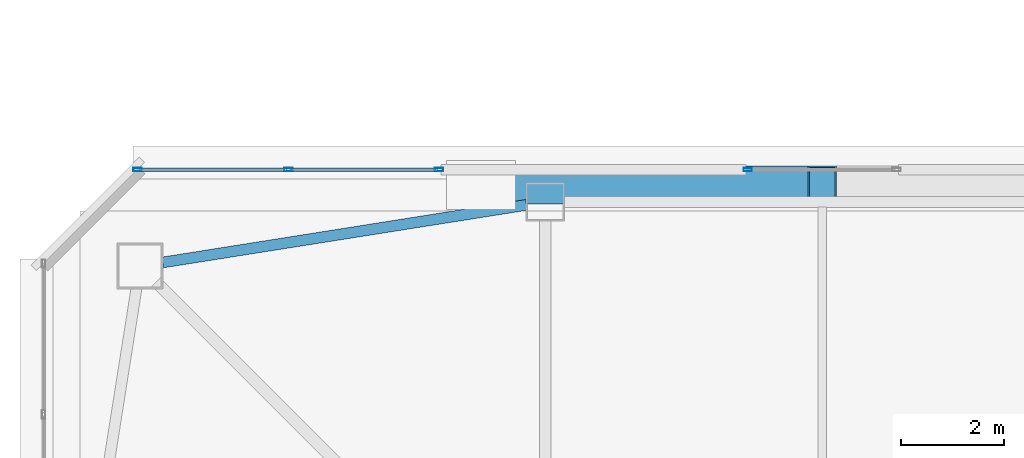
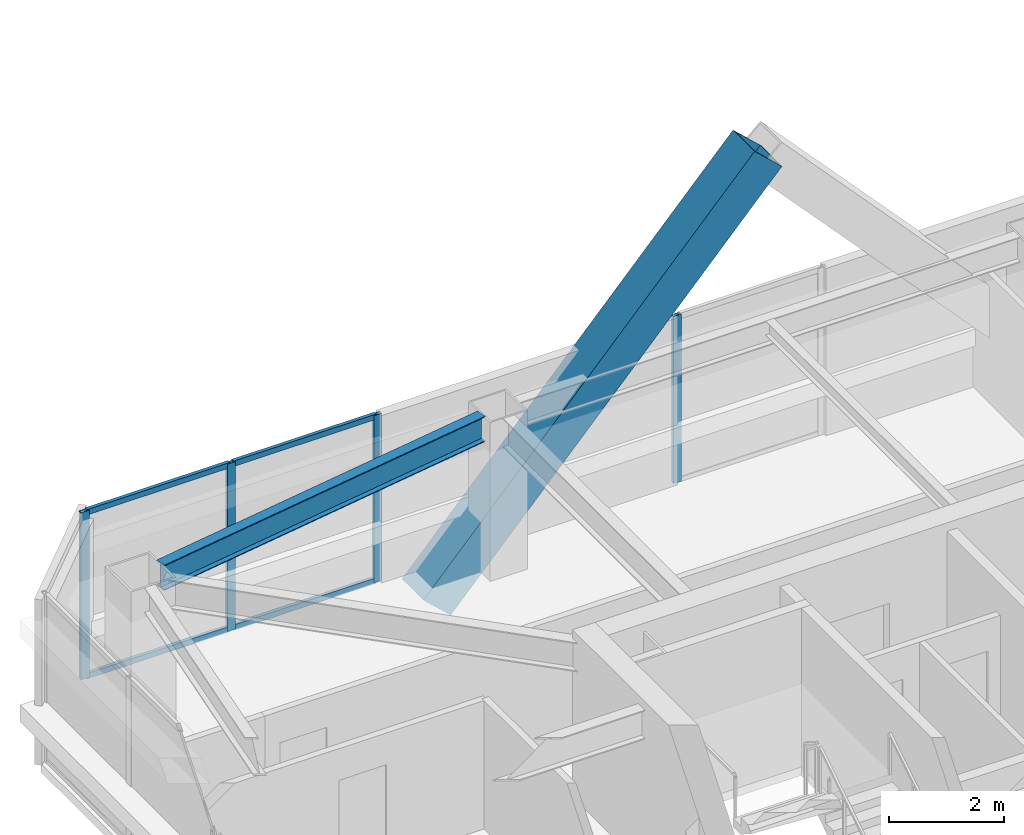
# One storey, part 14 of 24: 9 members, 1 beam, 2 elements without a shape of their own.
"""IFC4 building model written with IfcOpenShell, lengths in metres."""

from ifc_helpers import new_model, si_unit, direction, frame, origin, origin_2d, place, context, subcontext, project, spatial, hollow_rectangle, i_section, extrude, material, material_profile, profile_set, type_object, element, aggregate, save


model = new_model("IFC4")

# Units and contexts
model_context = context("Model", 3, precision=1e-05, world=origin(), true_north=direction((0.0, 1.0)))
body_context = subcontext(model_context, "Body", "Model", "MODEL_VIEW")
ifc_project = project(units=[si_unit("LENGTHUNIT", "METRE"), si_unit("AREAUNIT", "SQUARE_METRE"), si_unit("VOLUMEUNIT", "CUBIC_METRE"), si_unit("PLANEANGLEUNIT", "RADIAN"), si_unit("MASSUNIT", "GRAM", prefix="KILO")], contexts=[model_context])

# Site, building, storey
site_placement = place(None, origin())
site = spatial("IfcSite", under=ifc_project, at=site_placement, CompositionType="ELEMENT")
building_placement = place(site_placement, origin())
building = spatial("IfcBuilding", under=site, at=building_placement, Name="Tashvorn Skyway Center", CompositionType="ELEMENT")
storey_placement = place(building_placement, frame((0.0, 0.0, 270.5)))
storey = spatial("IfcBuildingStorey", under=building, at=storey_placement, Name="L73", CompositionType="ELEMENT", Elevation=270.5)

# Beam
ifc_material_1 = material(Name="Steel ASTM A992 Grade 50", Category="steel")
ifc_material_profile_1 = material_profile(ifc_material_1, i_section(OverallWidth=0.2109375, OverallDepth=0.5390625, WebThickness=0.01171875, FlangeThickness=0.018798828125, at=origin_2d()), Name="W21X73")
ifc_profile_set_1 = profile_set([ifc_material_profile_1], Name="Steel ASTM A992 Grade 50")
beam_type = type_object("IfcBeamType", Name="BM-SPANDREL-W21X73", PredefinedType="SPANDREL", material=ifc_profile_set_1)
beam_placement = place(storey_placement, frame((36.234619140625, 46.4921875, 3.1005859375), z_axis=(-0.987713587978, -0.156274976, 0.0), x_axis=(0.156274976, -0.987713587978, 0.0)))
element("IfcBeam", 1, at=beam_placement, inside=storey, type_object=beam_type, Name="Tower 1 L73 Spandrel Beam 09", PredefinedType="SPANDREL", context=body_context, shape_type="SweptSolid", body=[
    extrude(i_section(OverallWidth=0.2109375, OverallDepth=0.5390625, WebThickness=0.01171875, FlangeThickness=0.018798828125, at=origin_2d()), origin(), (0.0, 0.0, 1.0), 7.18310546875),
])

# Curtain wall, members
ifc_material_2 = material(Name="Thermally broken bronze-anodized aluminium 6063-T6", Category="aluminium")
curtain_wall_type = type_object("IfcCurtainWallType", Name="CW-CW-Z5", PredefinedType="NOTDEFINED", material=ifc_material_2)
curtain_wall_1_placement = place(storey_placement, origin())
curtain_wall_1 = element("IfcCurtainWall", 2, at=curtain_wall_1_placement, inside=storey, type_object=curtain_wall_type, Name="Tower 1 L73 North Unitised Curtain Wall Glazing Group 1", PredefinedType="NOTDEFINED")
ifc_material_profile_2 = material_profile(ifc_material_2, hollow_rectangle(XDim=0.070068359375, YDim=0.1650390625, WallThickness=0.00390625, at=origin_2d()), Name="ALU-MULL-70x165")
ifc_profile_set_2 = profile_set([ifc_material_profile_2], Name="Thermally broken bronze-anodized aluminium 6063-T6")
member_type_1 = type_object("IfcMemberType", Name="CWM-CW-Z5", PredefinedType="MULLION", material=ifc_profile_set_2)
member_1_placement = place(storey_placement, frame((28.655029296875, 47.179931640625, 0.0), z_axis=(0.0, 0.0, 1.0), x_axis=(0.0, 1.0, 0.0)))
member_1 = element("IfcMember", 3, at=member_1_placement, type_object=member_type_1, Name="CW-Z5 mullion 1", PredefinedType="MULLION", context=body_context, shape_type="SweptSolid", body=[
    extrude(hollow_rectangle(XDim=0.070068359375, YDim=0.1650390625, WallThickness=0.00390625, at=origin_2d()), origin(), (0.0, 0.0, 1.0), 3.550048828125),
])
member_2_placement = place(storey_placement, frame((31.59326171875, 47.179931640625, 0.0), z_axis=(0.0, 0.0, 1.0), x_axis=(0.0, 1.0, 0.0)))
member_2 = element("IfcMember", 4, at=member_2_placement, type_object=member_type_1, Name="CW-Z5 mullion 2", PredefinedType="MULLION", context=body_context, shape_type="SweptSolid", body=[
    extrude(hollow_rectangle(XDim=0.070068359375, YDim=0.1650390625, WallThickness=0.00390625, at=origin_2d()), origin(), (0.0, 0.0, 1.0), 3.550048828125),
])
member_3_placement = place(storey_placement, frame((34.53173828125, 47.179931640625, 0.0), z_axis=(0.0, 0.0, 1.0), x_axis=(0.0, 1.0, 0.0)))
member_3 = element("IfcMember", 5, at=member_3_placement, type_object=member_type_1, Name="CW-Z5 mullion 3", PredefinedType="MULLION", context=body_context, shape_type="SweptSolid", body=[
    extrude(hollow_rectangle(XDim=0.070068359375, YDim=0.1650390625, WallThickness=0.00390625, at=origin_2d()), origin(), (0.0, 0.0, 1.0), 3.550048828125),
])

# Curtain wall, member
curtain_wall_2_placement = place(storey_placement, origin())
curtain_wall_2 = element("IfcCurtainWall", 6, at=curtain_wall_2_placement, inside=storey, type_object=curtain_wall_type, Name="Tower 1 L73 North Unitised Curtain Wall Glazing Group 2", PredefinedType="NOTDEFINED")
member_4_placement = place(storey_placement, frame((40.54833984375, 47.179931640625, 0.0), z_axis=(0.0, 0.0, 1.0), x_axis=(0.0, 1.0, 0.0)))
member_4 = element("IfcMember", 7, at=member_4_placement, type_object=member_type_1, Name="CW-Z5 mullion 1", PredefinedType="MULLION", context=body_context, shape_type="SweptSolid", body=[
    extrude(hollow_rectangle(XDim=0.070068359375, YDim=0.1650390625, WallThickness=0.00390625, at=origin_2d()), origin(), (0.0, 0.0, 1.0), 3.550048828125),
])
aggregate(curtain_wall_2, [member_4])

# Member
ifc_material_profile_3 = material_profile(ifc_material_2, hollow_rectangle(XDim=0.070068359375, YDim=0.114990234375, WallThickness=0.00390625, at=origin_2d()), Name="ALU-TRAN-70x115")
ifc_profile_set_3 = profile_set([ifc_material_profile_3], Name="Thermally broken bronze-anodized aluminium 6063-T6")
member_type_2 = type_object("IfcMemberType", Name="CWT-CW-Z5", PredefinedType="USERDEFINED", material=ifc_profile_set_3)
member_5_placement = place(storey_placement, frame((28.68994140625, 47.179931640625, 0.034912109375), z_axis=(1.0, 0.0, 0.0), x_axis=(0.0, 1.0, 0.0)))
member_5 = element("IfcMember", 8, at=member_5_placement, type_object=member_type_2, Name="CW-Z5 transom 1.1", ObjectType="TRANSOM", PredefinedType="USERDEFINED", context=body_context, shape_type="SweptSolid", body=[
    extrude(hollow_rectangle(XDim=0.070068359375, YDim=0.114990234375, WallThickness=0.00390625, at=origin_2d()), origin(), (0.0, 0.0, 1.0), 2.868408203125),
])

member_6_placement = place(storey_placement, frame((28.68994140625, 47.179931640625, 3.514892578125), z_axis=(1.0, 0.0, 0.0), x_axis=(0.0, 1.0, 0.0)))
member_6 = element("IfcMember", 9, at=member_6_placement, type_object=member_type_2, Name="CW-Z5 transom 1.2", ObjectType="TRANSOM", PredefinedType="USERDEFINED", context=body_context, shape_type="SweptSolid", body=[
    extrude(hollow_rectangle(XDim=0.070068359375, YDim=0.114990234375, WallThickness=0.00390625, at=origin_2d()), origin(), (0.0, 0.0, 1.0), 2.868408203125),
])

member_7_placement = place(storey_placement, frame((31.62841796875, 47.179931640625, 0.034912109375), z_axis=(1.0, 0.0, 0.0), x_axis=(0.0, 1.0, 0.0)))
member_7 = element("IfcMember", 10, at=member_7_placement, type_object=member_type_2, Name="CW-Z5 transom 2.1", ObjectType="TRANSOM", PredefinedType="USERDEFINED", context=body_context, shape_type="SweptSolid", body=[
    extrude(hollow_rectangle(XDim=0.070068359375, YDim=0.114990234375, WallThickness=0.00390625, at=origin_2d()), origin(), (0.0, 0.0, 1.0), 2.8681640625),
])

member_8_placement = place(storey_placement, frame((31.62841796875, 47.179931640625, 3.514892578125), z_axis=(1.0, 0.0, 0.0), x_axis=(0.0, 1.0, 0.0)))
member_8 = element("IfcMember", 11, at=member_8_placement, type_object=member_type_2, Name="CW-Z5 transom 2.2", ObjectType="TRANSOM", PredefinedType="USERDEFINED", context=body_context, shape_type="SweptSolid", body=[
    extrude(hollow_rectangle(XDim=0.070068359375, YDim=0.114990234375, WallThickness=0.00390625, at=origin_2d()), origin(), (0.0, 0.0, 1.0), 2.8681640625),
])

aggregate(curtain_wall_1, [member_1, member_2, member_3, member_5, member_6, member_7, member_8])

ifc_material_3 = material(Name="Steel ASTM A572 Grade 50", Category="steel")
ifc_material_profile_4 = material_profile(ifc_material_3, hollow_rectangle(XDim=0.75, YDim=0.75, WallThickness=0.031982421875, at=origin_2d()), Name="BOX750x750x32")
ifc_profile_set_4 = profile_set([ifc_material_profile_4], Name="Steel ASTM A572 Grade 50")
member_type_3 = type_object("IfcMemberType", Name="MEM-MB-750", PredefinedType="BRACE", material=ifc_profile_set_4)
member_9_placement = place(storey_placement, frame((35.35009765625, 46.8798828125, -0.449951171875), z_axis=(0.678489061697, 0.0, 0.734610504388), x_axis=(0.0, 1.0, 0.0)))
element("IfcMember", 12, at=member_9_placement, inside=storey, type_object=member_type_3, Name="Tower 1 Zone 7 N Chevron Mega-Brace R2", PredefinedType="BRACE", context=body_context, shape_type="SweptSolid", body=[
    extrude(hollow_rectangle(XDim=0.75, YDim=0.75, WallThickness=0.031982421875, at=origin_2d()), origin(), (0.0, 0.0, 1.0), 9.801025390625),
])

save(model, "model.ifc")
